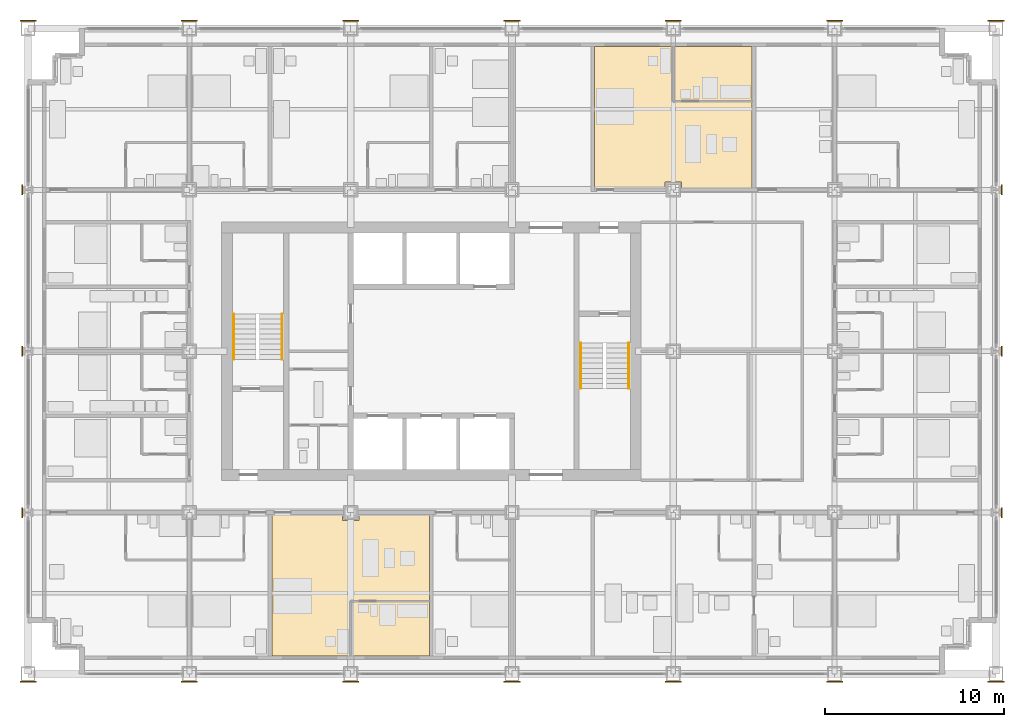
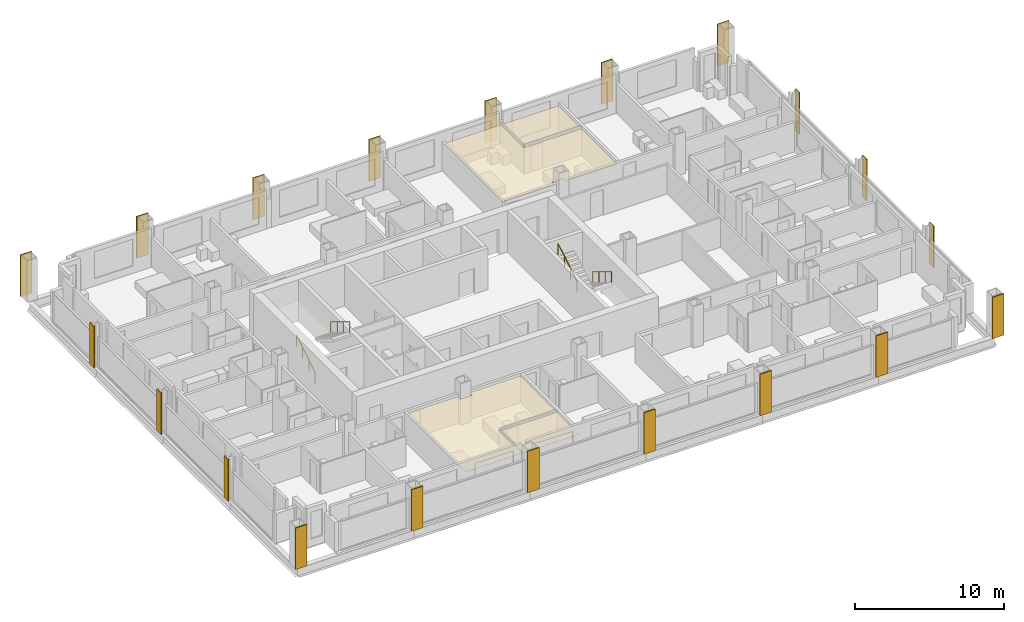
# One storey, part 16 of 18: 24 coverings, 4 railings.
"""IFC4 building model written with IfcOpenShell, lengths in metres."""

from ifc_helpers import new_model, si_unit, direction, frame, origin, origin_2d, place, context, subcontext, project, spatial, polyline, rectangle, circle, outline, extrude, material, layer, layer_set, type_object, element, save


model = new_model("IFC4")

# Units and contexts
model_context = context("Model", 3, precision=1e-05, world=origin(), true_north=direction((0.0, 1.0)))
body_context = subcontext(model_context, "Body", "Model", "MODEL_VIEW")
ifc_project = project(units=[si_unit("LENGTHUNIT", "METRE"), si_unit("AREAUNIT", "SQUARE_METRE"), si_unit("VOLUMEUNIT", "CUBIC_METRE"), si_unit("PLANEANGLEUNIT", "RADIAN"), si_unit("MASSUNIT", "GRAM", prefix="KILO")], contexts=[model_context])

# Site, building, storey
site_placement = place(None, origin())
site = spatial("IfcSite", under=ifc_project, at=site_placement, CompositionType="ELEMENT")
building_placement = place(site_placement, origin())
building = spatial("IfcBuilding", under=site, at=building_placement, Name="Loomwork Tower", CompositionType="ELEMENT")
storey_placement = place(building_placement, frame((0.0, 0.0, 55.199951171875)))
storey = spatial("IfcBuildingStorey", under=building, at=storey_placement, Name="L13", CompositionType="ELEMENT", Elevation=55.199951171875)

# Railings
ifc_material_1 = material(Name="Stainless steel handrail", Category="steel")
railing_type = type_object("IfcRailingType", Name="Handrail 900", PredefinedType="HANDRAIL", material=ifc_material_1)
railing_1_placement = place(storey_placement, frame((11.485107421875, 17.550048828125, 0.170166015625)))
element("IfcRailing", 1, at=railing_1_placement, inside=storey, type_object=railing_type, Name="Stair A handrail flight 1 L13", PredefinedType="HANDRAIL", context=body_context, shape_type="SweptSolid", body=[
    extrude(circle(Radius=0.02392578125, at=origin_2d()), frame((0.0, 0.0, 0.8759765625), z_axis=(0.0, 0.854821627497, 0.518921945155), x_axis=(-1.0, 0.0, 0.0)), (0.0, 0.0, 1.0), 2.947998046875),
    extrude(circle(Radius=0.02099609375, at=origin_2d()), origin(), (0.0, 0.0, 1.0), 0.851806640625),
    extrude(circle(Radius=0.02099609375, at=origin_2d()), frame((0.0, 0.840087890625, 0.510009765625)), (0.0, 0.0, 1.0), 0.851806640625),
    extrude(circle(Radius=0.02099609375, at=origin_2d()), frame((0.0, 1.679931640625, 1.019775390625)), (0.0, 0.0, 1.0), 0.851806640625),
    extrude(circle(Radius=0.02099609375, at=origin_2d()), frame((0.0, 2.52001953125, 1.52978515625)), (0.0, 0.0, 1.0), 0.851806640625),
])
railing_2_placement = place(storey_placement, frame((14.1650390625, 20.070068359375, 1.8701171875)))
element("IfcRailing", 2, at=railing_2_placement, inside=storey, type_object=railing_type, Name="Stair A handrail flight 2 L13", PredefinedType="HANDRAIL", context=body_context, shape_type="SweptSolid", body=[
    extrude(circle(Radius=0.02392578125, at=origin_2d()), frame((0.0, 0.0, 0.8759765625), z_axis=(0.0, -0.85478489116, 0.518982456201), x_axis=(1.0, 0.0, 0.0)), (0.0, 0.0, 1.0), 2.9482421875),
    extrude(circle(Radius=0.02099609375, at=origin_2d()), origin(), (0.0, 0.0, 1.0), 0.851806640625),
    extrude(circle(Radius=0.02099609375, at=origin_2d()), frame((0.0, -0.840087890625, 0.510009765625)), (0.0, 0.0, 1.0), 0.851806640625),
    extrude(circle(Radius=0.02099609375, at=origin_2d()), frame((0.0, -1.679931640625, 1.02001953125)), (0.0, 0.0, 1.0), 0.851806640625),
    extrude(circle(Radius=0.02099609375, at=origin_2d()), frame((0.0, -2.52001953125, 1.530029296875)), (0.0, 0.0, 1.0), 0.851806640625),
])
railing_3_placement = place(storey_placement, frame((33.514892578125, 18.449951171875, 0.170166015625)))
element("IfcRailing", 3, at=railing_3_placement, inside=storey, type_object=railing_type, Name="Stair B handrail flight 1 L13", PredefinedType="HANDRAIL", context=body_context, shape_type="SweptSolid", body=[
    extrude(circle(Radius=0.02392578125, at=origin_2d()), frame((0.0, 0.0, 0.8759765625), z_axis=(0.0, -0.854821627497, 0.518921945155), x_axis=(1.0, 0.0, 0.0)), (0.0, 0.0, 1.0), 2.947998046875),
    extrude(circle(Radius=0.02099609375, at=origin_2d()), origin(), (0.0, 0.0, 1.0), 0.851806640625),
    extrude(circle(Radius=0.02099609375, at=origin_2d()), frame((0.0, -0.840087890625, 0.510009765625)), (0.0, 0.0, 1.0), 0.851806640625),
    extrude(circle(Radius=0.02099609375, at=origin_2d()), frame((0.0, -1.679931640625, 1.019775390625)), (0.0, 0.0, 1.0), 0.851806640625),
    extrude(circle(Radius=0.02099609375, at=origin_2d()), frame((0.0, -2.52001953125, 1.52978515625)), (0.0, 0.0, 1.0), 0.851806640625),
])
railing_4_placement = place(storey_placement, frame((30.8349609375, 15.929931640625, 1.8701171875)))
element("IfcRailing", 4, at=railing_4_placement, inside=storey, type_object=railing_type, Name="Stair B handrail flight 2 L13", PredefinedType="HANDRAIL", context=body_context, shape_type="SweptSolid", body=[
    extrude(circle(Radius=0.02392578125, at=origin_2d()), frame((0.0, 0.0, 0.8759765625), z_axis=(0.0, 0.85478489116, 0.518982456201), x_axis=(-1.0, 0.0, 0.0)), (0.0, 0.0, 1.0), 2.9482421875),
    extrude(circle(Radius=0.02099609375, at=origin_2d()), origin(), (0.0, 0.0, 1.0), 0.851806640625),
    extrude(circle(Radius=0.02099609375, at=origin_2d()), frame((0.0, 0.840087890625, 0.510009765625)), (0.0, 0.0, 1.0), 0.851806640625),
    extrude(circle(Radius=0.02099609375, at=origin_2d()), frame((0.0, 1.679931640625, 1.02001953125)), (0.0, 0.0, 1.0), 0.851806640625),
    extrude(circle(Radius=0.02099609375, at=origin_2d()), frame((0.0, 2.52001953125, 1.530029296875)), (0.0, 0.0, 1.0), 0.851806640625),
])

# Coverings
ifc_material_2 = material(Name="Limestone", Category="masonry")
ifc_layer_1 = layer(ifc_material_2, 0.080078125)
ifc_layer_set_1 = layer_set([ifc_layer_1], Name="Limestone pier facing 80")
covering_type_1 = type_object("IfcCoveringType", Name="Limestone pier facing 80", PredefinedType="CLADDING", material=ifc_layer_set_1)
covering_1_placement = place(storey_placement, frame((0.0, -0.43994140625, 0.0), z_axis=(0.0, 0.0, 1.0), x_axis=(1.0, 0.0, 0.0)))
element("IfcCovering", 5, at=covering_1_placement, inside=storey, type_object=covering_type_1, Name="Pier facing D/2 L13", PredefinedType="CLADDING", context=body_context, shape_type="SweptSolid", body=[
    extrude(rectangle(XDim=0.89990234375, YDim=0.080078125, at=origin_2d()), origin(), (0.0, 0.0, 1.0), 3.39990234375),
])
for number, where, z_axis, x_axis, name in (
    (6, (-0.324462890625, 9.0, 0.0), (0.0, 0.0, 1.0), (1.0, 0.0, 0.0), "Pier facing E/2 L13"),
    (7, (-0.324462890625, 18.0, 0.0), (0.0, 0.0, 1.0), (1.0, 0.0, 0.0), "Pier facing F/2 L13"),
    (8, (-0.324462890625, 27.0, 0.0), (0.0, 0.0, 1.0), (1.0, 0.0, 0.0), "Pier facing G/2 L13"),
):
    element("IfcCovering", number, at=place(storey_placement, frame(where, z_axis=z_axis, x_axis=x_axis)), inside=storey, type_object=covering_type_1, Name=name, PredefinedType="CLADDING", context=body_context, shape_type="SweptSolid", body=[
        extrude(rectangle(XDim=0.080078125, YDim=0.5546875, at=origin_2d()), origin(), (0.0, 0.0, 1.0), 3.39990234375),
    ])
for number, where, z_axis, x_axis, name in (
    (9, (0.0, 36.43994140625, 0.0), (0.0, 0.0, 1.0), (1.0, 0.0, 0.0), "Pier facing H/2 L13"),
    (10, (9.0, -0.43994140625, 0.0), (0.0, 0.0, 1.0), (1.0, 0.0, 0.0), "Pier facing D/3 L13"),
    (11, (9.0, 36.43994140625, 0.0), (0.0, 0.0, 1.0), (1.0, 0.0, 0.0), "Pier facing H/3 L13"),
    (12, (18.0, -0.43994140625, 0.0), (0.0, 0.0, 1.0), (1.0, 0.0, 0.0), "Pier facing D/4 L13"),
    (13, (18.0, 36.43994140625, 0.0), (0.0, 0.0, 1.0), (1.0, 0.0, 0.0), "Pier facing H/4 L13"),
    (14, (27.0, -0.43994140625, 0.0), (0.0, 0.0, 1.0), (1.0, 0.0, 0.0), "Pier facing D/5 L13"),
    (15, (27.0, 36.43994140625, 0.0), (0.0, 0.0, 1.0), (1.0, 0.0, 0.0), "Pier facing H/5 L13"),
    (16, (36.0, -0.43994140625, 0.0), (0.0, 0.0, 1.0), (1.0, 0.0, 0.0), "Pier facing D/6 L13"),
    (17, (36.0, 36.43994140625, 0.0), (0.0, 0.0, 1.0), (1.0, 0.0, 0.0), "Pier facing H/6 L13"),
    (18, (45.0, -0.43994140625, 0.0), (0.0, 0.0, 1.0), (1.0, 0.0, 0.0), "Pier facing D/7 L13"),
    (19, (45.0, 36.43994140625, 0.0), (0.0, 0.0, 1.0), (1.0, 0.0, 0.0), "Pier facing H/7 L13"),
    (20, (54.0, -0.43994140625, 0.0), (0.0, 0.0, 1.0), (1.0, 0.0, 0.0), "Pier facing D/8 L13"),
):
    element("IfcCovering", number, at=place(storey_placement, frame(where, z_axis=z_axis, x_axis=x_axis)), inside=storey, type_object=covering_type_1, Name=name, PredefinedType="CLADDING", context=body_context, shape_type="SweptSolid", body=[
        extrude(rectangle(XDim=0.89990234375, YDim=0.080078125, at=origin_2d()), origin(), (0.0, 0.0, 1.0), 3.39990234375),
    ])
for number, where, z_axis, x_axis, name in (
    (21, (54.324462890625, 9.0, 0.0), (0.0, 0.0, 1.0), (1.0, 0.0, 0.0), "Pier facing E/8 L13"),
    (22, (54.324462890625, 18.0, 0.0), (0.0, 0.0, 1.0), (1.0, 0.0, 0.0), "Pier facing F/8 L13"),
    (23, (54.324462890625, 27.0, 0.0), (0.0, 0.0, 1.0), (1.0, 0.0, 0.0), "Pier facing G/8 L13"),
):
    element("IfcCovering", number, at=place(storey_placement, frame(where, z_axis=z_axis, x_axis=x_axis)), inside=storey, type_object=covering_type_1, Name=name, PredefinedType="CLADDING", context=body_context, shape_type="SweptSolid", body=[
        extrude(rectangle(XDim=0.080078125, YDim=0.5546875, at=origin_2d()), origin(), (0.0, 0.0, 1.0), 3.39990234375),
    ])
covering_2_placement = place(storey_placement, frame((54.0, 36.43994140625, 0.0), z_axis=(0.0, 0.0, 1.0), x_axis=(1.0, 0.0, 0.0)))
element("IfcCovering", 24, at=covering_2_placement, inside=storey, type_object=covering_type_1, Name="Pier facing H/8 L13", PredefinedType="CLADDING", context=body_context, shape_type="SweptSolid", body=[
    extrude(rectangle(XDim=0.89990234375, YDim=0.080078125, at=origin_2d()), origin(), (0.0, 0.0, 1.0), 3.39990234375),
])
ifc_material_3 = material(Name="Mineral fibre acoustic tile on suspension grid")
ifc_layer_2 = layer(ifc_material_3, 0.02490234375)
ifc_layer_set_2 = layer_set([ifc_layer_2], Name="Suspended acoustic ceiling")
covering_type_2 = type_object("IfcCoveringType", Name="Suspended acoustic ceiling", PredefinedType="CEILING", material=ifc_layer_set_2)
covering_3_placement = place(storey_placement, frame((0.0, 0.0, 2.175048828125)))
element("IfcCovering", 25, at=covering_3_placement, inside=storey, type_object=covering_type_2, Name="Ceiling Spa bathroom L13", PredefinedType="CEILING", context=body_context, shape_type="SweptSolid", body=[
    extrude(outline(polyline([(22.39990234375, 4.0), (22.39990234375, 1.0), (18.050048828125, 1.0), (18.050048828125, 4.0), (22.39990234375, 4.0)])), origin(), (0.0, 0.0, 1.0), 0.02490234375),
])
covering_4_placement = place(storey_placement, frame((0.0, 0.0, 2.175048828125)))
element("IfcCovering", 26, at=covering_4_placement, inside=storey, type_object=covering_type_2, Name="Ceiling Spa suite L13", PredefinedType="CEILING", context=body_context, shape_type="SweptSolid", body=[
    extrude(outline(polyline([(17.550048828125, 8.89990234375), (17.550048828125, 8.550048828125), (18.449951171875, 8.550048828125), (18.449951171875, 8.89990234375), (22.39990234375, 8.89990234375), (22.39990234375, 4.10009765625), (17.949951171875, 4.10009765625), (17.949951171875, 1.0), (13.60009765625, 1.0), (13.60009765625, 8.89990234375), (17.550048828125, 8.89990234375)])), origin(), (0.0, 0.0, 1.0), 0.02490234375),
])
covering_5_placement = place(storey_placement, frame((0.0, 0.0, 2.175048828125)))
element("IfcCovering", 27, at=covering_5_placement, inside=storey, type_object=covering_type_2, Name="Ceiling Spa bathroom L13", PredefinedType="CEILING", context=body_context, shape_type="SweptSolid", body=[
    extrude(outline(polyline([(36.050048828125, 35.0), (40.39990234375, 35.0), (40.39990234375, 32.0), (36.050048828125, 32.0), (36.050048828125, 35.0)])), origin(), (0.0, 0.0, 1.0), 0.02490234375),
])
covering_6_placement = place(storey_placement, frame((0.0, 0.0, 2.175048828125)))
element("IfcCovering", 28, at=covering_6_placement, inside=storey, type_object=covering_type_2, Name="Ceiling Spa suite L13", PredefinedType="CEILING", context=body_context, shape_type="SweptSolid", body=[
    extrude(outline(polyline([(31.60009765625, 35.0), (35.949951171875, 35.0), (35.949951171875, 31.89990234375), (40.39990234375, 31.89990234375), (40.39990234375, 27.10009765625), (36.449951171875, 27.10009765625), (36.449951171875, 27.449951171875), (35.550048828125, 27.449951171875), (35.550048828125, 27.10009765625), (31.60009765625, 27.10009765625), (31.60009765625, 35.0)])), origin(), (0.0, 0.0, 1.0), 0.02490234375),
])

save(model, "model.ifc")
